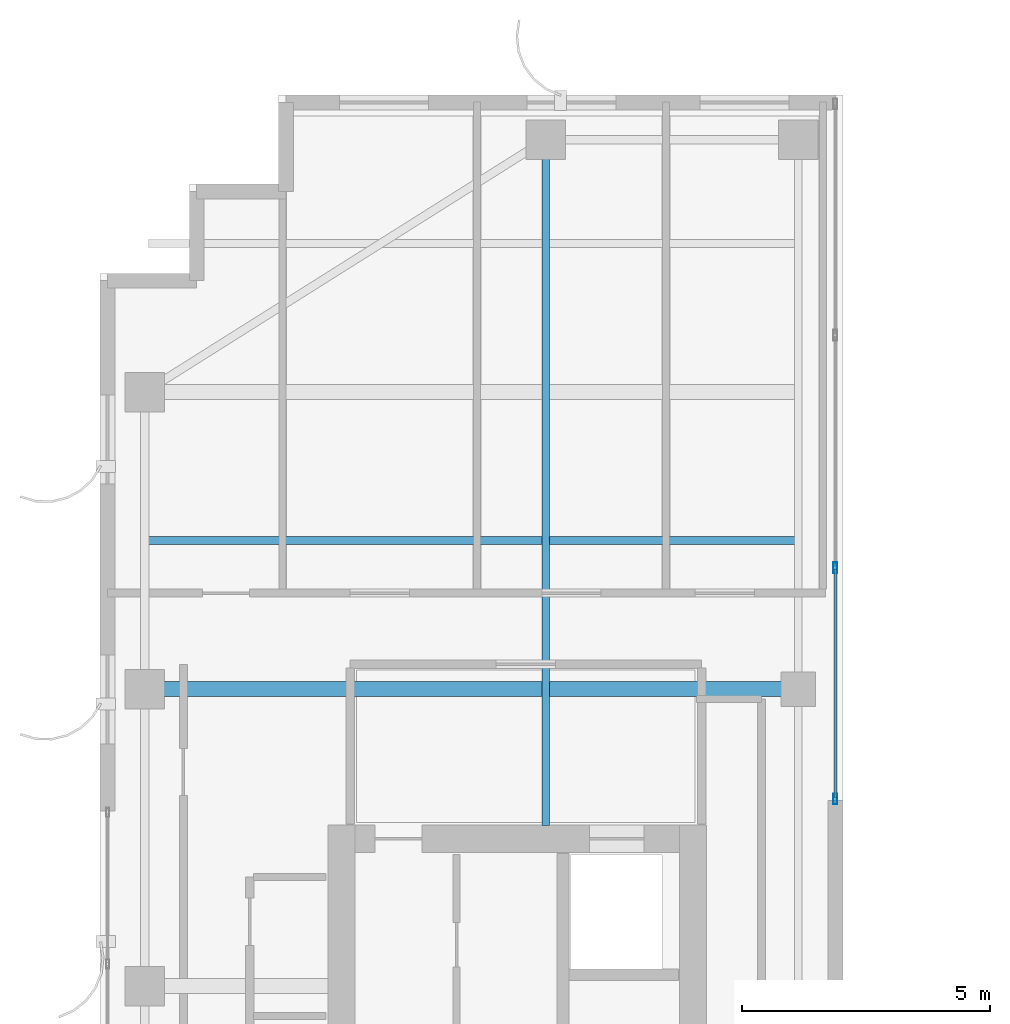
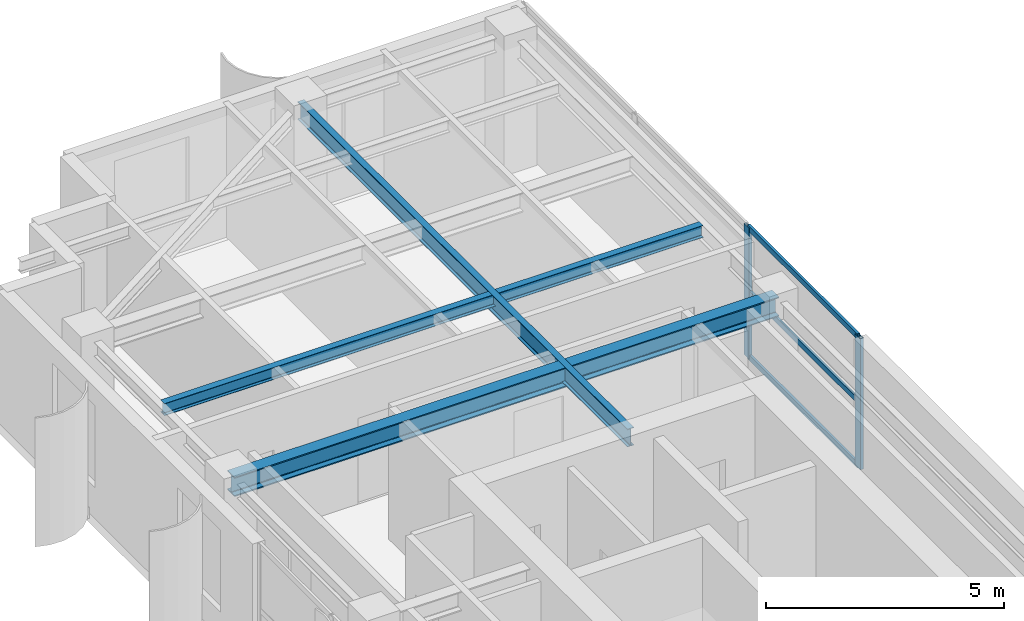
# One storey, part 9 of 24: 5 members, 3 beams, 1 element without a shape of its own.
"""IFC4 building model written with IfcOpenShell, lengths in metres."""

from ifc_helpers import new_model, si_unit, direction, frame, origin, origin_2d, place, context, subcontext, project, spatial, hollow_rectangle, i_section, extrude, source, transform, mapped, material, layer, layer_set, material_profile, profile_set, type_object, element, aggregate, save


model = new_model("IFC4")

# Units and contexts
model_context = context("Model", 3, precision=1e-05, world=origin(), true_north=direction((0.0, 1.0)))
body_context = subcontext(model_context, "Body", "Model", "MODEL_VIEW")
ifc_project = project(units=[si_unit("LENGTHUNIT", "METRE"), si_unit("AREAUNIT", "SQUARE_METRE"), si_unit("VOLUMEUNIT", "CUBIC_METRE"), si_unit("PLANEANGLEUNIT", "RADIAN"), si_unit("MASSUNIT", "GRAM", prefix="KILO")], contexts=[model_context])

# Site, building, storey
site_placement = place(None, origin())
site = spatial("IfcSite", under=ifc_project, at=site_placement, CompositionType="ELEMENT")
building_placement = place(site_placement, origin())
building = spatial("IfcBuilding", under=site, at=building_placement, Name="Khoralis Quay Care Tower", CompositionType="ELEMENT")
storey_placement = place(building_placement, frame((0.0, 0.0, 231.300048828125)))
storey = spatial("IfcBuildingStorey", under=building, at=storey_placement, Name="L60", CompositionType="ELEMENT", Elevation=231.300048828125)

# Beams
ifc_material_1 = material(Name="Steel S355", Category="steel")
ifc_material_profile_1 = material_profile(ifc_material_1, i_section(OverallWidth=0.300048828125, OverallDepth=0.5, WebThickness=0.014404296875, FlangeThickness=0.028076171875, FilletRadius=0.027099609375, at=origin_2d()), Name="Steel S355")
ifc_profile_set_1 = profile_set([ifc_material_profile_1], Name="Steel S355")
beam_type_1 = type_object("IfcBeamType", Name="BM-HEB500", PredefinedType="BEAM", material=ifc_profile_set_1)
shared_shape_1 = source(origin(), body_context, "Body", "SweptSolid", [
    extrude(i_section(OverallWidth=0.300048828125, OverallDepth=0.5, WebThickness=0.014404296875, FlangeThickness=0.028076171875, FilletRadius=0.027099609375, at=origin_2d()), origin(), (0.0, 0.0, 1.0), 13.2001953125),
])
beam_1_placement = place(storey_placement, frame((3.89990234375, 30.0, 3.10986328125), z_axis=(1.0, 0.0, 0.0), x_axis=(0.0, 1.0, 0.0)))
element("IfcBeam", 1, at=beam_1_placement, inside=storey, type_object=beam_type_1, Name="BM-TGXW-L60-300", PredefinedType="BEAM", context=body_context, shape_type="MappedRepresentation", body=[
    mapped(shared_shape_1, transform((0.0, 0.0, 0.0), scale=1.0)),
])
ifc_material_profile_2 = material_profile(ifc_material_1, i_section(OverallWidth=0.1650390625, OverallDepth=0.31005859375, WebThickness=0.005859375, FlangeThickness=0.009765625, FilletRadius=0.011962890625, at=origin_2d()), Name="Steel S355")
ifc_profile_set_2 = profile_set([ifc_material_profile_2], Name="Steel S355")
beam_type_2 = type_object("IfcBeamType", Name="BM-W310X39", PredefinedType="JOIST", material=ifc_profile_set_2)
shared_shape_2 = source(origin(), body_context, "Body", "SweptSolid", [
    extrude(i_section(OverallWidth=0.1650390625, OverallDepth=0.31005859375, WebThickness=0.005859375, FlangeThickness=0.009765625, FilletRadius=0.011962890625, at=origin_2d()), origin(), (0.0, 0.0, 1.0), 13.06396484375),
])
beam_2_placement = place(storey_placement, frame((3.970947265625, 33.0, 3.204833984375), z_axis=(1.0, 0.0, 0.0), x_axis=(0.0, 1.0, 0.0)))
element("IfcBeam", 2, at=beam_2_placement, inside=storey, type_object=beam_type_2, Name="BM-TJS-L60-19", PredefinedType="JOIST", context=body_context, shape_type="MappedRepresentation", body=[
    mapped(shared_shape_2, transform((0.0, 0.0, 0.0), scale=1.0)),
])
ifc_material_profile_3 = material_profile(ifc_material_1, i_section(OverallWidth=0.154052734375, OverallDepth=0.458984375, WebThickness=0.009033203125, FlangeThickness=0.015380859375, FilletRadius=0.014892578125, at=origin_2d()), Name="Steel S355")
ifc_profile_set_3 = profile_set([ifc_material_profile_3], Name="Steel S355")
beam_type_3 = type_object("IfcBeamType", Name="BM-W460X68", PredefinedType="BEAM", material=ifc_profile_set_3)
shared_shape_3 = source(origin(), body_context, "Body", "SweptSolid", [
    extrude(i_section(OverallWidth=0.154052734375, OverallDepth=0.458984375, WebThickness=0.009033203125, FlangeThickness=0.015380859375, FilletRadius=0.014892578125, at=origin_2d()), origin(), (0.0, 0.0, 1.0), 13.85205078125),
])
beam_3_placement = place(storey_placement, frame((12.0, 27.248046875, 3.13037109375), z_axis=(0.0, 1.0, 0.0), x_axis=(-1.0, 0.0, 0.0)))
element("IfcBeam", 3, at=beam_3_placement, inside=storey, type_object=beam_type_3, Name="BM-TGYN-L60-120", PredefinedType="BEAM", context=body_context, shape_type="MappedRepresentation", body=[
    mapped(shared_shape_3, transform((0.0, 0.0, 0.0), scale=1.0)),
])

# Curtain wall, members
ifc_material_2 = material(Name="Pale anodised aluminium", Category="aluminium")
ifc_layer = layer(ifc_material_2, 0.18994140625)
ifc_layer_set = layer_set([ifc_layer], Name="Pale anodised aluminium")
curtain_wall_type = type_object("IfcCurtainWallType", Name="CW-SYS-PORTAL", PredefinedType="NOTDEFINED", material=ifc_layer_set)
curtain_wall_placement = place(storey_placement, origin())
curtain_wall = element("IfcCurtainWall", 4, at=curtain_wall_placement, inside=storey, type_object=curtain_wall_type, Name="L60 Unitised Curtain Wall CW-VP-L60-P1-N", PredefinedType="NOTDEFINED")
ifc_material_profile_4 = material_profile(ifc_material_2, hollow_rectangle(XDim=0.06005859375, YDim=0.139892578125, WallThickness=0.00390625, at=origin_2d()), Name="Pale anodised aluminium")
ifc_profile_set_4 = profile_set([ifc_material_profile_4], Name="Pale anodised aluminium")
member_type_1 = type_object("IfcMemberType", Name="CW-TRN-140", PredefinedType="USERDEFINED", material=ifc_profile_set_4)
shared_shape_4 = source(origin(), body_context, "Body", "SweptSolid", [
    extrude(hollow_rectangle(XDim=0.06005859375, YDim=0.139892578125, WallThickness=0.00390625, at=origin_2d()), origin(), (0.0, 0.0, 1.0), 4.60986328125),
])
member_1_placement = place(storey_placement, frame((17.85009765625, 27.81005859375, 0.030029296875), z_axis=(0.0, 1.0, 0.0), x_axis=(-1.0, 0.0, 0.0)))
member_1 = element("IfcMember", 5, at=member_1_placement, type_object=member_type_1, Name="CW4 transom 1.1", ObjectType="TRANSOM", PredefinedType="USERDEFINED", context=body_context, shape_type="MappedRepresentation", body=[
    mapped(shared_shape_4, transform((0.0, 0.0, 0.0), scale=1.0)),
])
member_2_placement = place(storey_placement, frame((17.85009765625, 27.81005859375, 1.679931640625), z_axis=(0.0, 1.0, 0.0), x_axis=(-1.0, 0.0, 0.0)))
member_2 = element("IfcMember", 6, at=member_2_placement, type_object=member_type_1, Name="CW4 transom 1.2", ObjectType="TRANSOM", PredefinedType="USERDEFINED", context=body_context, shape_type="MappedRepresentation", body=[
    mapped(shared_shape_4, transform((0.0, 0.0, 0.0), scale=1.0)),
])
member_3_placement = place(storey_placement, frame((17.85009765625, 27.81005859375, 3.329833984375), z_axis=(0.0, 1.0, 0.0), x_axis=(-1.0, 0.0, 0.0)))
member_3 = element("IfcMember", 7, at=member_3_placement, type_object=member_type_1, Name="CW4 transom 1.3", ObjectType="TRANSOM", PredefinedType="USERDEFINED", context=body_context, shape_type="MappedRepresentation", body=[
    mapped(shared_shape_4, transform((0.0, 0.0, 0.0), scale=1.0)),
])
ifc_material_profile_5 = material_profile(ifc_material_2, hollow_rectangle(XDim=0.074951171875, YDim=0.219970703125, WallThickness=0.00390625, at=origin_2d()), Name="Pale anodised aluminium")
ifc_profile_set_5 = profile_set([ifc_material_profile_5], Name="Pale anodised aluminium")
member_type_2 = type_object("IfcMemberType", Name="CW-MUL-220", PredefinedType="MULLION", material=ifc_profile_set_5)
shared_shape_5 = source(origin(), body_context, "Body", "SweptSolid", [
    extrude(hollow_rectangle(XDim=0.074951171875, YDim=0.219970703125, WallThickness=0.00390625, at=origin_2d()), origin(), (0.0, 0.0, 1.0), 3.35986328125),
])
member_4_placement = place(storey_placement, frame((17.85009765625, 27.780029296875, 0.0), z_axis=(0.0, 0.0, 1.0), x_axis=(-1.0, 0.0, 0.0)))
member_4 = element("IfcMember", 8, at=member_4_placement, type_object=member_type_2, Name="CW4 mullion 1", PredefinedType="MULLION", context=body_context, shape_type="MappedRepresentation", body=[
    mapped(shared_shape_5, transform((0.0, 0.0, 0.0), scale=1.0)),
])
member_5_placement = place(storey_placement, frame((17.85009765625, 32.449951171875, 0.0), z_axis=(0.0, 0.0, 1.0), x_axis=(-1.0, 0.0, 0.0)))
member_5 = element("IfcMember", 9, at=member_5_placement, type_object=member_type_2, Name="CW4 mullion 2", PredefinedType="MULLION", context=body_context, shape_type="MappedRepresentation", body=[
    mapped(shared_shape_5, transform((0.0, 0.0, 0.0), scale=1.0)),
])
aggregate(curtain_wall, [member_4, member_5, member_1, member_2, member_3])

save(model, "model.ifc")
